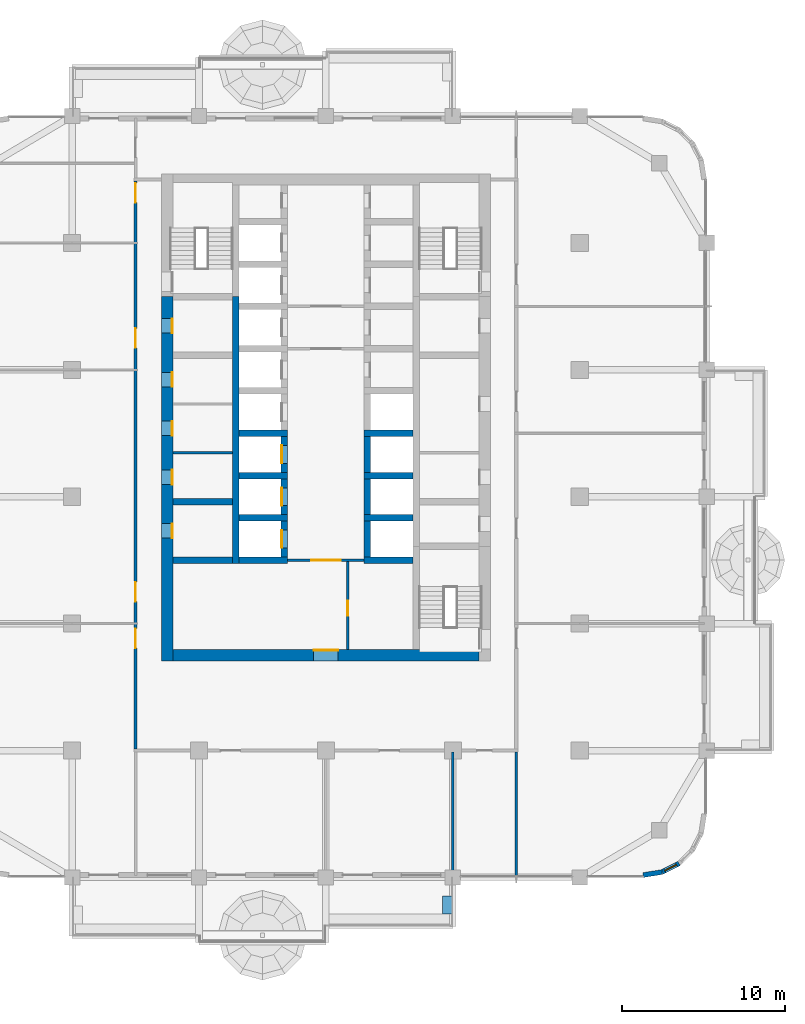
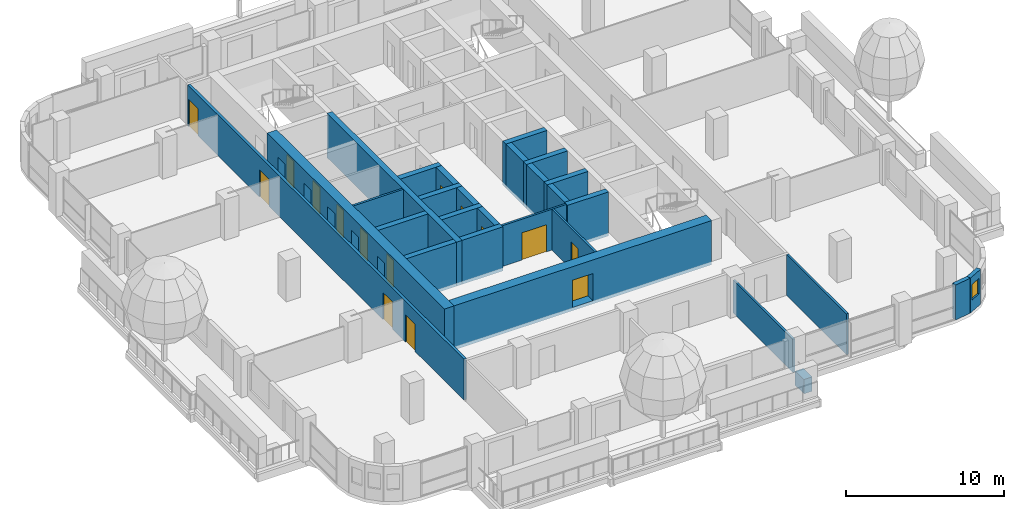
# One storey, part 11 of 21: 28 walls, 15 doors, 1 window, 16 openings.
"""IFC4 building model written with IfcOpenShell, lengths in metres."""

from ifc_helpers import new_model, si_unit, direction, frame, frame_2d, origin, place, context, subcontext, project, spatial, rectangle, extrude, material, layer, layer_set, type_object, element, fill, save


model = new_model("IFC4")

# Units and contexts
model_context = context("Model", 3, precision=1e-05, world=origin(), true_north=direction((0.0, 1.0)))
body_context = subcontext(model_context, "Body", "Model", "MODEL_VIEW")
ifc_project = project(units=[si_unit("LENGTHUNIT", "METRE"), si_unit("AREAUNIT", "SQUARE_METRE"), si_unit("VOLUMEUNIT", "CUBIC_METRE"), si_unit("PLANEANGLEUNIT", "RADIAN"), si_unit("MASSUNIT", "GRAM", prefix="KILO")], contexts=[model_context])

# Site, building, storey
site_placement = place(None, origin())
site = spatial("IfcSite", under=ifc_project, at=site_placement, CompositionType="ELEMENT")
building_placement = place(site_placement, origin())
building = spatial("IfcBuilding", under=site, at=building_placement, Name="Ludao Terraces", CompositionType="ELEMENT")
storey_placement = place(building_placement, frame((0.0, 0.0, 71.60009765625)))
storey = spatial("IfcBuildingStorey", under=building, at=storey_placement, Name="L19", CompositionType="ELEMENT", Elevation=71.60009765625)

# Wall, openings, doors
ifc_material_1 = material(Name="Concrete C70", Category="concrete")
ifc_layer_1 = layer(ifc_material_1, 0.699951171875)
ifc_layer_set_1 = layer_set([ifc_layer_1], Name="Core wall 700 C70")
wall_type_1 = type_object("IfcWallType", Name="Core wall 700 C70", PredefinedType="SOLIDWALL", material=ifc_layer_set_1)
wall_1_placement = place(storey_placement, frame((75.25, 54.89990234375, -0.25), z_axis=(0.0, 0.0, 1.0), x_axis=(0.0, 1.0, 0.0)))
wall_1 = element("IfcWall", 1, at=wall_1_placement, inside=storey, type_object=wall_type_1, Name="Core wall L19 outer-W", PredefinedType="SOLIDWALL", context=body_context, shape_type="SweptSolid", body=[
    extrude(rectangle(XDim=22.400146484375, YDim=0.699951171875, at=frame_2d((11.2001953125, 0.0))), origin(), (0.0, 0.0, 1.0), 3.39990234375),
])
opening_1_placement = place(wall_1_placement, frame((7.550048828125, 0.0, 0.25)))
opening_1 = element("IfcOpeningElement", 2, at=opening_1_placement, cuts=wall_1, Name="Opening C1-012", PredefinedType="OPENING", context=body_context, shape_type="SweptSolid", body=[
    extrude(rectangle(XDim=0.89990234375, YDim=2.10009765625, at=frame_2d((0.449951171875, 1.050048828125))), frame((0.0, 0.35986328125, 0.0), z_axis=(0.0, -1.0, 0.0), x_axis=(1.0, 0.0, 0.0)), (0.0, 0.0, 1.0), 0.719970703125),
])
opening_2_placement = place(wall_1_placement, frame((10.85009765625, 0.0, 0.25)))
opening_2 = element("IfcOpeningElement", 3, at=opening_2_placement, cuts=wall_1, Name="Opening C1-016", PredefinedType="OPENING", context=body_context, shape_type="SweptSolid", body=[
    extrude(rectangle(XDim=0.89990234375, YDim=2.10009765625, at=frame_2d((0.449951171875, 1.050048828125))), frame((0.0, 0.35986328125, 0.0), z_axis=(0.0, -1.0, 0.0), x_axis=(1.0, 0.0, 0.0)), (0.0, 0.0, 1.0), 0.719970703125),
])
opening_3_placement = place(wall_1_placement, frame((13.85009765625, 0.0, 0.25)))
opening_3 = element("IfcOpeningElement", 4, at=opening_3_placement, cuts=wall_1, Name="Opening C1-019", PredefinedType="OPENING", context=body_context, shape_type="SweptSolid", body=[
    extrude(rectangle(XDim=0.89990234375, YDim=2.10009765625, at=frame_2d((0.449951171875, 1.050048828125))), frame((0.0, 0.35986328125, 0.0), z_axis=(0.0, -1.0, 0.0), x_axis=(1.0, 0.0, 0.0)), (0.0, 0.0, 1.0), 0.719970703125),
])
opening_4_placement = place(wall_1_placement, frame((16.85009765625, 0.0, 0.25)))
opening_4 = element("IfcOpeningElement", 5, at=opening_4_placement, cuts=wall_1, Name="Opening C1-023", PredefinedType="OPENING", context=body_context, shape_type="SweptSolid", body=[
    extrude(rectangle(XDim=0.89990234375, YDim=2.10009765625, at=frame_2d((0.449951171875, 1.050048828125))), frame((0.0, 0.35986328125, 0.0), z_axis=(0.0, -1.0, 0.0), x_axis=(1.0, 0.0, 0.0)), (0.0, 0.0, 1.0), 0.719970703125),
])
opening_5_placement = place(wall_1_placement, frame((20.14990234375, 0.0, 0.25)))
opening_5 = element("IfcOpeningElement", 6, at=opening_5_placement, cuts=wall_1, Name="Opening C1-030", PredefinedType="OPENING", context=body_context, shape_type="SweptSolid", body=[
    extrude(rectangle(XDim=0.89990234375, YDim=2.10009765625, at=frame_2d((0.449951171875, 1.050048828125))), frame((0.0, 0.35986328125, 0.0), z_axis=(0.0, -1.0, 0.0), x_axis=(1.0, 0.0, 0.0)), (0.0, 0.0, 1.0), 0.719970703125),
])
ifc_material_2 = material(Name="Steel Q235", Category="steel")
door_type_1 = type_object("IfcDoorType", Name="INT Riser door 900", OperationType="SINGLE_SWING_LEFT", PredefinedType="DOOR", material=ifc_material_2)
door_1_placement = place(opening_1_placement, origin())
door_1 = element("IfcDoor", 7, at=door_1_placement, inside=storey, type_object=door_type_1, Name="DOOR 012", OperationType="SINGLE_SWING_LEFT", OverallHeight=2.10009765625, OverallWidth=0.89990234375, PredefinedType="DOOR", context=body_context, shape_type="SweptSolid", body=[
    extrude(rectangle(XDim=0.89990234375, YDim=2.10009765625, at=frame_2d((0.449951171875, 1.050048828125))), frame((0.0, -0.28515625, 0.0), z_axis=(0.0, -1.0, 0.0), x_axis=(1.0, 0.0, 0.0)), (0.0, 0.0, 1.0), 0.050048828125),
])
fill(opening_1, door_1)
door_2_placement = place(opening_5_placement, origin())
door_2 = element("IfcDoor", 8, at=door_2_placement, inside=storey, type_object=door_type_1, Name="DOOR 030", OperationType="SINGLE_SWING_RIGHT", OverallHeight=2.10009765625, OverallWidth=0.89990234375, PredefinedType="DOOR", context=body_context, shape_type="SweptSolid", body=[
    extrude(rectangle(XDim=0.89990234375, YDim=2.10009765625, at=frame_2d((0.449951171875, 1.050048828125))), frame((0.0, -0.28515625, 0.0), z_axis=(0.0, -1.0, 0.0), x_axis=(1.0, 0.0, 0.0)), (0.0, 0.0, 1.0), 0.050048828125),
])
fill(opening_5, door_2)
ifc_material_3 = material(Name="Timber door leaf", Category="wood")
door_type_2 = type_object("IfcDoorType", Name="INT Room door 900", OperationType="SINGLE_SWING_LEFT", PredefinedType="DOOR", material=ifc_material_3)
door_3_placement = place(opening_2_placement, origin())
door_3 = element("IfcDoor", 9, at=door_3_placement, inside=storey, type_object=door_type_2, Name="DOOR 016", OperationType="SINGLE_SWING_RIGHT", OverallHeight=2.10009765625, OverallWidth=0.89990234375, PredefinedType="DOOR", context=body_context, shape_type="SweptSolid", body=[
    extrude(rectangle(XDim=0.89990234375, YDim=2.10009765625, at=frame_2d((0.449951171875, 1.050048828125))), frame((0.0, -0.28515625, 0.0), z_axis=(0.0, -1.0, 0.0), x_axis=(1.0, 0.0, 0.0)), (0.0, 0.0, 1.0), 0.050048828125),
])
fill(opening_2, door_3)
door_4_placement = place(opening_3_placement, origin())
door_4 = element("IfcDoor", 10, at=door_4_placement, inside=storey, type_object=door_type_2, Name="DOOR 019", OperationType="SINGLE_SWING_RIGHT", OverallHeight=2.10009765625, OverallWidth=0.89990234375, PredefinedType="DOOR", context=body_context, shape_type="SweptSolid", body=[
    extrude(rectangle(XDim=0.89990234375, YDim=2.10009765625, at=frame_2d((0.449951171875, 1.050048828125))), frame((0.0, -0.28515625, 0.0), z_axis=(0.0, -1.0, 0.0), x_axis=(1.0, 0.0, 0.0)), (0.0, 0.0, 1.0), 0.050048828125),
])
fill(opening_3, door_4)
door_5_placement = place(opening_4_placement, origin())
door_5 = element("IfcDoor", 11, at=door_5_placement, inside=storey, type_object=door_type_2, Name="DOOR 023", OperationType="SINGLE_SWING_LEFT", OverallHeight=2.10009765625, OverallWidth=0.89990234375, PredefinedType="DOOR", context=body_context, shape_type="SweptSolid", body=[
    extrude(rectangle(XDim=0.89990234375, YDim=2.10009765625, at=frame_2d((0.449951171875, 1.050048828125))), frame((0.0, -0.28515625, 0.0), z_axis=(0.0, -1.0, 0.0), x_axis=(1.0, 0.0, 0.0)), (0.0, 0.0, 1.0), 0.050048828125),
])
fill(opening_4, door_5)

# Wall, opening, door
wall_2_placement = place(storey_placement, frame((75.60009765625, 55.25, -0.25), z_axis=(0.0, 0.0, 1.0), x_axis=(1.0, 0.0, 0.0)))
wall_2 = element("IfcWall", 12, at=wall_2_placement, inside=storey, type_object=wall_type_1, Name="Core wall L19 outer-S", PredefinedType="SOLIDWALL", context=body_context, shape_type="SweptSolid", body=[
    extrude(rectangle(XDim=18.7998046875, YDim=0.699951171875, at=frame_2d((9.39990234375, 0.0))), origin(), (0.0, 0.0, 1.0), 3.39990234375),
])
opening_6_placement = place(wall_2_placement, frame((8.64990234375, 0.0, 0.25)))
opening_6 = element("IfcOpeningElement", 13, at=opening_6_placement, cuts=wall_2, Name="Opening C1-004", PredefinedType="OPENING", context=body_context, shape_type="SweptSolid", body=[
    extrude(rectangle(XDim=1.5, YDim=2.10009765625, at=frame_2d((0.75, 1.050048828125))), frame((0.0, 0.35986328125, 0.0), z_axis=(0.0, -1.0, 0.0), x_axis=(1.0, 0.0, 0.0)), (0.0, 0.0, 1.0), 0.719970703125),
])
door_type_3 = type_object("IfcDoorType", Name="INT Lobby door 1500", OperationType="DOUBLE_DOOR_SINGLE_SWING", PredefinedType="DOOR", material=ifc_material_2)
door_6_placement = place(opening_6_placement, origin())
door_6 = element("IfcDoor", 14, at=door_6_placement, inside=storey, type_object=door_type_3, Name="DOOR 004", OperationType="DOUBLE_DOOR_SINGLE_SWING", OverallHeight=2.10009765625, OverallWidth=1.5, PredefinedType="DOOR", context=body_context, shape_type="SweptSolid", body=[
    extrude(rectangle(XDim=1.5, YDim=2.10009765625, at=frame_2d((0.75, 1.050048828125))), frame((0.0, 0.3349609375, 0.0), z_axis=(0.0, -1.0, 0.0), x_axis=(1.0, 0.0, 0.0)), (0.0, 0.0, 1.0), 0.050048828125),
])
fill(opening_6, door_6)

# Walls
ifc_material_4 = material(Name="Concrete C40", Category="concrete")
ifc_layer_2 = layer(ifc_material_4, 0.60009765625)
ifc_layer_set_2 = layer_set([ifc_layer_2], Name="ENV Planter trough 600")
wall_type_2 = type_object("IfcWallType", Name="ENV Planter trough 600", PredefinedType="USERDEFINED", material=ifc_layer_set_2)
wall_3_placement = place(storey_placement, frame((92.449951171875, 39.35009765625, 0.0), z_axis=(0.0, 0.0, 1.0), x_axis=(0.0, 1.0, 0.0)))
element("IfcWall", 15, at=wall_3_placement, inside=storey, type_object=wall_type_2, Name="PL-L19-S3-SB", ObjectType="PLANTER", PredefinedType="USERDEFINED", context=body_context, shape_type="SweptSolid", body=[
    extrude(rectangle(XDim=1.099853515625, YDim=0.60009765625, at=frame_2d((0.5498046875, 0.0))), origin(), (0.0, 0.0, 1.0), 1.099853515625),
])
ifc_material_5 = material(Name="Granite cladding", Category="masonry")
ifc_layer_3 = layer(ifc_material_5, 0.0400390625, Category="stone")
ifc_material_6 = material(Name="Mineral wool")
ifc_layer_4 = layer(ifc_material_6, 0.06005859375)
ifc_layer_5 = layer(ifc_material_4, 0.199951171875, Category="concrete")
ifc_layer_set_3 = layer_set([ifc_layer_3, ifc_layer_4, ifc_layer_5], Name="ENV Stone-clad wall 300")
wall_type_3 = type_object("IfcWallType", Name="ENV Stone-clad wall 300", PredefinedType="SOLIDWALL", material=ifc_layer_set_3)
wall_4_placement = place(storey_placement, frame((104.5, 41.75, 0.0), z_axis=(0.0, 0.0, 1.0), x_axis=(0.987678452879, 0.156496880861, 0.0)))
element("IfcWall", 16, at=wall_4_placement, inside=storey, type_object=wall_type_3, Name="EW-L19-SE1", PredefinedType="SOLIDWALL", context=body_context, shape_type="SweptSolid", body=[
    extrude(rectangle(XDim=1.173095703125, YDim=0.300048828125, at=frame_2d((0.58642578125, 0.0))), origin(), (0.0, 0.0, 1.0), 2.699951171875),
])

# Wall, opening, window
wall_5_placement = place(storey_placement, frame((105.65869140625, 41.93359375, 0.0), z_axis=(0.0, 0.0, 1.0), x_axis=(0.890988677504, 0.454025524128, 0.0)))
wall_5 = element("IfcWall", 17, at=wall_5_placement, inside=storey, type_object=wall_type_3, Name="EW-L19-SE2", PredefinedType="SOLIDWALL", context=body_context, shape_type="SweptSolid", body=[
    extrude(rectangle(XDim=1.17333984375, YDim=0.300048828125, at=frame_2d((0.586669921875, 0.0))), origin(), (0.0, 0.0, 1.0), 2.699951171875),
])
opening_7_placement = place(wall_5_placement, frame((0.1865234375, 0.0, 0.89990234375)))
opening_7 = element("IfcOpeningElement", 18, at=opening_7_placement, cuts=wall_5, Name="Opening W3", PredefinedType="OPENING", context=body_context, shape_type="SweptSolid", body=[
    extrude(rectangle(XDim=0.800048828125, YDim=1.199951171875, at=frame_2d((0.39990234375, 0.60009765625))), frame((0.0, 0.16015625, 0.0), z_axis=(0.0, -1.0, 0.0), x_axis=(1.0, 0.0, 0.0)), (0.0, 0.0, 1.0), 0.320068359375),
])
ifc_material_7 = material(Name="Clear glass in aluminium frame", Category="aluminium")
ifc_layer_6 = layer(ifc_material_7, 0.06005859375)
ifc_layer_set_4 = layer_set([ifc_layer_6], Name="ENV Window W3 800x1200")
window_type = type_object("IfcWindowType", Name="ENV Window W3 800x1200", PartitioningType="SINGLE_PANEL", PredefinedType="WINDOW", material=ifc_layer_set_4)
window_placement = place(opening_7_placement, origin())
window = element("IfcWindow", 19, at=window_placement, inside=storey, type_object=window_type, Name="W-L19-SE2", OverallHeight=1.199951171875, OverallWidth=0.800048828125, PartitioningType="SINGLE_PANEL", PredefinedType="WINDOW", context=body_context, shape_type="SweptSolid", body=[
    extrude(rectangle(XDim=0.800048828125, YDim=1.199951171875, at=frame_2d((0.39990234375, 0.60009765625))), frame((0.0, 0.030029296875, 0.0), z_axis=(0.0, -1.0, 0.0), x_axis=(1.0, 0.0, 0.0)), (0.0, 0.0, 1.0), 0.06005859375),
])
fill(opening_7, window)

# Wall, opening, door
ifc_material_8 = material(Name="Fire-rated gypsum plasterboard", Category="gypsum")
ifc_layer_7 = layer(ifc_material_8, 0.012451171875, Category="gypsum")
ifc_layer_8 = layer(ifc_material_6, 0.10009765625, Name="insulation")
ifc_layer_9 = layer(ifc_material_2, 0.02490234375, Name="stud")
ifc_layer_10 = layer(ifc_material_8, 0.012451171875, Category="gypsum")
ifc_layer_set_5 = layer_set([ifc_layer_7, ifc_layer_8, ifc_layer_9, ifc_layer_10], Name="INT Core partition 150")
wall_type_4 = type_object("IfcWallType", Name="INT Core partition 150", PredefinedType="PARTITIONING", material=ifc_layer_set_5)
wall_6_placement = place(storey_placement, frame((82.650146484375, 61.10009765625, 0.0), z_axis=(0.0, 0.0, 1.0), x_axis=(1.0, 0.0, 0.0)))
wall_6 = element("IfcWall", 20, at=wall_6_placement, inside=storey, type_object=wall_type_4, Name="PW-L19-PW003", PredefinedType="PARTITIONING", context=body_context, shape_type="SweptSolid", body=[
    extrude(rectangle(XDim=4.699951171875, YDim=0.14990234375, at=frame_2d((2.35009765625, 0.0))), origin(), (0.0, 0.0, 1.0), 3.14990234375),
])
opening_8_placement = place(wall_6_placement, frame((1.449951171875, 0.0, 0.0)))
opening_8 = element("IfcOpeningElement", 21, at=opening_8_placement, cuts=wall_6, Name="Opening C1-010", PredefinedType="OPENING", context=body_context, shape_type="SweptSolid", body=[
    extrude(rectangle(XDim=1.800048828125, YDim=2.10009765625, at=frame_2d((0.89990234375, 1.050048828125))), frame((0.0, 0.0849609375, 0.0), z_axis=(0.0, -1.0, 0.0), x_axis=(1.0, 0.0, 0.0)), (0.0, 0.0, 1.0), 0.169921875),
])
door_type_4 = type_object("IfcDoorType", Name="INT Fire lobby door 1800", OperationType="DOUBLE_DOOR_SINGLE_SWING", PredefinedType="DOOR", material=ifc_material_2)
door_7_placement = place(opening_8_placement, origin())
door_7 = element("IfcDoor", 22, at=door_7_placement, inside=storey, type_object=door_type_4, Name="DOOR 010", OperationType="DOUBLE_DOOR_SINGLE_SWING", OverallHeight=2.10009765625, OverallWidth=1.800048828125, PredefinedType="DOOR", context=body_context, shape_type="SweptSolid", body=[
    extrude(rectangle(XDim=1.800048828125, YDim=2.10009765625, at=frame_2d((0.89990234375, 1.050048828125))), frame((0.0, 0.02490234375, 0.0), z_axis=(0.0, -1.0, 0.0), x_axis=(1.0, 0.0, 0.0)), (0.0, 0.0, 1.0), 0.050048828125),
])
fill(opening_8, door_7)

# Wall
wall_7_placement = place(storey_placement, frame((75.60009765625, 67.699951171875, 0.0), z_axis=(0.0, 0.0, 1.0), x_axis=(1.0, 0.0, 0.0)))
element("IfcWall", 23, at=wall_7_placement, inside=storey, type_object=wall_type_4, Name="PW-L19-PW004", PredefinedType="PARTITIONING", context=body_context, shape_type="SweptSolid", body=[
    extrude(rectangle(XDim=3.64990234375, YDim=0.14990234375, at=frame_2d((1.824951171875, 0.0))), origin(), (0.0, 0.0, 1.0), 3.14990234375),
])

# Wall, opening, door
wall_8_placement = place(storey_placement, frame((86.35009765625, 55.60009765625, 0.0), z_axis=(0.0, 0.0, 1.0), x_axis=(0.0, 1.0, 0.0)))
wall_8 = element("IfcWall", 24, at=wall_8_placement, inside=storey, type_object=wall_type_4, Name="PW-L19-PW020", PredefinedType="PARTITIONING", context=body_context, shape_type="SweptSolid", body=[
    extrude(rectangle(XDim=5.425048828125, YDim=0.14990234375, at=frame_2d((2.71240234375, 0.0))), origin(), (0.0, 0.0, 1.0), 3.14990234375),
])
opening_9_placement = place(wall_8_placement, frame((2.10009765625, 0.0, 0.0)))
opening_9 = element("IfcOpeningElement", 25, at=opening_9_placement, cuts=wall_8, Name="Opening C1-008", PredefinedType="OPENING", context=body_context, shape_type="SweptSolid", body=[
    extrude(rectangle(XDim=0.89990234375, YDim=2.10009765625, at=frame_2d((0.449951171875, 1.050048828125))), frame((0.0, 0.0849609375, 0.0), z_axis=(0.0, -1.0, 0.0), x_axis=(1.0, 0.0, 0.0)), (0.0, 0.0, 1.0), 0.169921875),
])
door_8_placement = place(opening_9_placement, origin())
door_8 = element("IfcDoor", 26, at=door_8_placement, inside=storey, type_object=door_type_2, Name="DOOR 008", OperationType="SINGLE_SWING_RIGHT", OverallHeight=2.10009765625, OverallWidth=0.89990234375, PredefinedType="DOOR", context=body_context, shape_type="SweptSolid", body=[
    extrude(rectangle(XDim=0.89990234375, YDim=2.10009765625, at=frame_2d((0.449951171875, 1.050048828125))), frame((0.0, 0.02490234375, 0.0), z_axis=(0.0, -1.0, 0.0), x_axis=(1.0, 0.0, 0.0)), (0.0, 0.0, 1.0), 0.050048828125),
])
fill(opening_9, door_8)

# Wall, openings, doors
ifc_material_9 = material(Name="Autoclaved aerated concrete block B06 A3.5", Category="concrete")
ifc_layer_11 = layer(ifc_material_9, 0.199951171875)
ifc_layer_set_6 = layer_set([ifc_layer_11], Name="INT Entrance wall 200")
wall_type_5 = type_object("IfcWallType", Name="INT Entrance wall 200", PredefinedType="PARTITIONING", material=ifc_layer_set_6)
wall_9_placement = place(storey_placement, frame((73.300048828125, 49.5, 0.0), z_axis=(0.0, 0.0, 1.0), x_axis=(0.0, 1.0, 0.0)))
wall_9 = element("IfcWall", 27, at=wall_9_placement, inside=storey, type_object=wall_type_5, Name="PW-L19-PW017", PredefinedType="PARTITIONING", context=body_context, shape_type="SweptSolid", body=[
    extrude(rectangle(XDim=34.900146484375, YDim=0.199951171875, at=frame_2d((17.4501953125, 0.0))), origin(), (0.0, 0.0, 1.0), 3.14990234375),
])
opening_10_placement = place(wall_9_placement, frame((6.2001953125, 0.0, 0.0)))
opening_10 = element("IfcOpeningElement", 28, at=opening_10_placement, cuts=wall_9, Name="Opening C1-006", PredefinedType="OPENING", context=body_context, shape_type="SweptSolid", body=[
    extrude(rectangle(XDim=1.199951171875, YDim=2.10009765625, at=frame_2d((0.60009765625, 1.050048828125))), frame((0.0, 0.10986328125, 0.0), z_axis=(0.0, -1.0, 0.0), x_axis=(1.0, 0.0, 0.0)), (0.0, 0.0, 1.0), 0.219970703125),
])
opening_11_placement = place(wall_9_placement, frame((9.050048828125, 0.0, 0.0)))
opening_11 = element("IfcOpeningElement", 29, at=opening_11_placement, cuts=wall_9, Name="Opening C1-009", PredefinedType="OPENING", context=body_context, shape_type="SweptSolid", body=[
    extrude(rectangle(XDim=1.199951171875, YDim=2.10009765625, at=frame_2d((0.60009765625, 1.050048828125))), frame((0.0, 0.10986328125, 0.0), z_axis=(0.0, -1.0, 0.0), x_axis=(1.0, 0.0, 0.0)), (0.0, 0.0, 1.0), 0.219970703125),
])
opening_12_placement = place(wall_9_placement, frame((24.650146484375, 0.0, 0.0)))
opening_12 = element("IfcOpeningElement", 30, at=opening_12_placement, cuts=wall_9, Name="Opening C1-027", PredefinedType="OPENING", context=body_context, shape_type="SweptSolid", body=[
    extrude(rectangle(XDim=1.199951171875, YDim=2.10009765625, at=frame_2d((0.60009765625, 1.050048828125))), frame((0.0, 0.10986328125, 0.0), z_axis=(0.0, -1.0, 0.0), x_axis=(1.0, 0.0, 0.0)), (0.0, 0.0, 1.0), 0.219970703125),
])
opening_13_placement = place(wall_9_placement, frame((33.5791015625, 0.0, 0.0)))
opening_13 = element("IfcOpeningElement", 31, at=opening_13_placement, cuts=wall_9, Name="Opening C1-042", PredefinedType="OPENING", context=body_context, shape_type="SweptSolid", body=[
    extrude(rectangle(XDim=1.199951171875, YDim=2.10009765625, at=frame_2d((0.60009765625, 1.050048828125))), frame((0.0, 0.10986328125, 0.0), z_axis=(0.0, -1.0, 0.0), x_axis=(1.0, 0.0, 0.0)), (0.0, 0.0, 1.0), 0.219970703125),
])
door_type_5 = type_object("IfcDoorType", Name="INT Double door 1200", OperationType="DOUBLE_DOOR_SINGLE_SWING", PredefinedType="DOOR", material=ifc_material_3)
door_9_placement = place(opening_10_placement, origin())
door_9 = element("IfcDoor", 32, at=door_9_placement, inside=storey, type_object=door_type_5, Name="DOOR 006", OperationType="DOUBLE_DOOR_SINGLE_SWING", OverallHeight=2.10009765625, OverallWidth=1.199951171875, PredefinedType="DOOR", context=body_context, shape_type="SweptSolid", body=[
    extrude(rectangle(XDim=1.199951171875, YDim=2.10009765625, at=frame_2d((0.60009765625, 1.050048828125))), frame((0.0, 0.02490234375, 0.0), z_axis=(0.0, -1.0, 0.0), x_axis=(1.0, 0.0, 0.0)), (0.0, 0.0, 1.0), 0.050048828125),
])
fill(opening_10, door_9)
door_10_placement = place(opening_11_placement, origin())
door_10 = element("IfcDoor", 33, at=door_10_placement, inside=storey, type_object=door_type_5, Name="DOOR 009", OperationType="DOUBLE_DOOR_SINGLE_SWING", OverallHeight=2.10009765625, OverallWidth=1.199951171875, PredefinedType="DOOR", context=body_context, shape_type="SweptSolid", body=[
    extrude(rectangle(XDim=1.199951171875, YDim=2.10009765625, at=frame_2d((0.60009765625, 1.050048828125))), frame((0.0, 0.02490234375, 0.0), z_axis=(0.0, -1.0, 0.0), x_axis=(1.0, 0.0, 0.0)), (0.0, 0.0, 1.0), 0.050048828125),
])
fill(opening_11, door_10)
door_11_placement = place(opening_12_placement, origin())
door_11 = element("IfcDoor", 34, at=door_11_placement, inside=storey, type_object=door_type_5, Name="DOOR 027", OperationType="DOUBLE_DOOR_SINGLE_SWING", OverallHeight=2.10009765625, OverallWidth=1.199951171875, PredefinedType="DOOR", context=body_context, shape_type="SweptSolid", body=[
    extrude(rectangle(XDim=1.199951171875, YDim=2.10009765625, at=frame_2d((0.60009765625, 1.050048828125))), frame((0.0, 0.02490234375, 0.0), z_axis=(0.0, -1.0, 0.0), x_axis=(1.0, 0.0, 0.0)), (0.0, 0.0, 1.0), 0.050048828125),
])
fill(opening_12, door_11)
door_12_placement = place(opening_13_placement, origin())
door_12 = element("IfcDoor", 35, at=door_12_placement, inside=storey, type_object=door_type_5, Name="DOOR 042", OperationType="DOUBLE_DOOR_SINGLE_SWING", OverallHeight=2.10009765625, OverallWidth=1.199951171875, PredefinedType="DOOR", context=body_context, shape_type="SweptSolid", body=[
    extrude(rectangle(XDim=1.199951171875, YDim=2.10009765625, at=frame_2d((0.60009765625, 1.050048828125))), frame((0.0, 0.02490234375, 0.0), z_axis=(0.0, -1.0, 0.0), x_axis=(1.0, 0.0, 0.0)), (0.0, 0.0, 1.0), 0.050048828125),
])
fill(opening_13, door_12)

# Walls
ifc_layer_12 = layer(ifc_material_9, 0.14990234375)
ifc_layer_set_7 = layer_set([ifc_layer_12], Name="INT Party wall 150")
wall_type_6 = type_object("IfcWallType", Name="INT Party wall 150", PredefinedType="PARTITIONING", material=ifc_layer_set_7)
wall_10_placement = place(storey_placement, frame((92.800048828125, 41.735107421875, 0.0), z_axis=(0.0, 0.0, 1.0), x_axis=(0.0, 1.0, 0.0)))
element("IfcWall", 36, at=wall_10_placement, inside=storey, type_object=wall_type_6, Name="PW-L19-PW021", PredefinedType="PARTITIONING", context=body_context, shape_type="SweptSolid", body=[
    extrude(rectangle(XDim=7.56494140625, YDim=0.14990234375, at=frame_2d((3.782470703125, 0.0))), origin(), (0.0, 0.0, 1.0), 2.5498046875),
])
wall_11_placement = place(storey_placement, frame((96.699951171875, 41.735107421875, 0.0), z_axis=(0.0, 0.0, 1.0), x_axis=(0.0, 1.0, 0.0)))
element("IfcWall", 37, at=wall_11_placement, inside=storey, type_object=wall_type_6, Name="PW-L19-PW022", PredefinedType="PARTITIONING", context=body_context, shape_type="SweptSolid", body=[
    extrude(rectangle(XDim=7.56494140625, YDim=0.14990234375, at=frame_2d((3.782470703125, 0.0))), origin(), (0.0, 0.0, 1.0), 3.14990234375),
])
ifc_material_10 = material(Name="Concrete C60", Category="concrete")
ifc_layer_13 = layer(ifc_material_10, 0.39990234375)
ifc_layer_set_8 = layer_set([ifc_layer_13], Name="Shaft wall 400 C60")
wall_type_7 = type_object("IfcWallType", Name="Shaft wall 400 C60", PredefinedType="SOLIDWALL", material=ifc_layer_set_8)
wall_12_placement = place(storey_placement, frame((79.449951171875, 60.89990234375, -0.25), z_axis=(0.0, 0.0, 1.0), x_axis=(0.0, 1.0, 0.0)))
element("IfcWall", 38, at=wall_12_placement, inside=storey, type_object=wall_type_7, Name="Core wall L19 back-W", PredefinedType="SOLIDWALL", context=body_context, shape_type="SweptSolid", body=[
    extrude(rectangle(XDim=16.400146484375, YDim=0.39990234375, at=frame_2d((8.2001953125, 0.0))), origin(), (0.0, 0.0, 1.0), 3.39990234375),
])
wall_13_placement = place(storey_placement, frame((79.64990234375, 61.10009765625, -0.25), z_axis=(0.0, 0.0, 1.0), x_axis=(1.0, 0.0, 0.0)))
element("IfcWall", 39, at=wall_13_placement, inside=storey, type_object=wall_type_7, Name="Core wall L19 div-W1", PredefinedType="SOLIDWALL", context=body_context, shape_type="SweptSolid", body=[
    extrude(rectangle(XDim=3.0, YDim=0.39990234375, at=frame_2d((1.5, 0.0))), origin(), (0.0, 0.0, 1.0), 3.39990234375),
])

# Wall, opening, door
wall_14_placement = place(storey_placement, frame((82.449951171875, 61.300048828125, -0.25), z_axis=(0.0, 0.0, 1.0), x_axis=(0.0, 1.0, 0.0)))
wall_14 = element("IfcWall", 40, at=wall_14_placement, inside=storey, type_object=wall_type_7, Name="Core wall L19 front-W1", PredefinedType="SOLIDWALL", context=body_context, shape_type="SweptSolid", body=[
    extrude(rectangle(XDim=2.199951171875, YDim=0.39990234375, at=frame_2d((1.10009765625, 0.0))), origin(), (0.0, 0.0, 1.0), 3.39990234375),
])
opening_14_placement = place(wall_14_placement, frame((0.550048828125, 0.0, 0.25)))
opening_14 = element("IfcOpeningElement", 41, at=opening_14_placement, cuts=wall_14, Name="Opening LD-LA1", PredefinedType="OPENING", context=body_context, shape_type="SweptSolid", body=[
    extrude(rectangle(XDim=1.10009765625, YDim=2.10009765625, at=frame_2d((0.550048828125, 1.050048828125))), frame((0.0, 0.2099609375, 0.0), z_axis=(0.0, -1.0, 0.0), x_axis=(1.0, 0.0, 0.0)), (0.0, 0.0, 1.0), 0.419921875),
])
ifc_material_11 = material(Name="Stainless steel 304", Category="steel")
door_type_6 = type_object("IfcDoorType", Name="INT Lift landing door 1100", OperationType="SLIDING_TO_LEFT", PredefinedType="DOOR", material=ifc_material_11)
door_13_placement = place(opening_14_placement, origin())
door_13 = element("IfcDoor", 42, at=door_13_placement, inside=storey, type_object=door_type_6, Name="LANDING DOOR LA1 L19", OperationType="SLIDING_TO_RIGHT", OverallHeight=2.10009765625, OverallWidth=1.10009765625, PredefinedType="DOOR", context=body_context, shape_type="SweptSolid", body=[
    extrude(rectangle(XDim=1.10009765625, YDim=2.10009765625, at=frame_2d((0.550048828125, 1.050048828125))), frame((0.0, 0.18505859375, 0.0), z_axis=(0.0, -1.0, 0.0), x_axis=(1.0, 0.0, 0.0)), (0.0, 0.0, 1.0), 0.050048828125),
])
fill(opening_14, door_13)

# Wall
wall_15_placement = place(storey_placement, frame((79.64990234375, 63.699951171875, -0.25), z_axis=(0.0, 0.0, 1.0), x_axis=(1.0, 0.0, 0.0)))
element("IfcWall", 43, at=wall_15_placement, inside=storey, type_object=wall_type_7, Name="Core wall L19 div-W2", PredefinedType="SOLIDWALL", context=body_context, shape_type="SweptSolid", body=[
    extrude(rectangle(XDim=3.0, YDim=0.39990234375, at=frame_2d((1.5, 0.0))), origin(), (0.0, 0.0, 1.0), 3.39990234375),
])

# Wall, opening, door
wall_16_placement = place(storey_placement, frame((82.449951171875, 63.89990234375, -0.25), z_axis=(0.0, 0.0, 1.0), x_axis=(0.0, 1.0, 0.0)))
wall_16 = element("IfcWall", 44, at=wall_16_placement, inside=storey, type_object=wall_type_7, Name="Core wall L19 front-W2", PredefinedType="SOLIDWALL", context=body_context, shape_type="SweptSolid", body=[
    extrude(rectangle(XDim=2.2001953125, YDim=0.39990234375, at=frame_2d((1.10009765625, 0.0))), origin(), (0.0, 0.0, 1.0), 3.39990234375),
])
opening_15_placement = place(wall_16_placement, frame((0.550048828125, 0.0, 0.25)))
opening_15 = element("IfcOpeningElement", 45, at=opening_15_placement, cuts=wall_16, Name="Opening LD-LA2", PredefinedType="OPENING", context=body_context, shape_type="SweptSolid", body=[
    extrude(rectangle(XDim=1.10009765625, YDim=2.10009765625, at=frame_2d((0.550048828125, 1.050048828125))), frame((0.0, 0.2099609375, 0.0), z_axis=(0.0, -1.0, 0.0), x_axis=(1.0, 0.0, 0.0)), (0.0, 0.0, 1.0), 0.419921875),
])
door_14_placement = place(opening_15_placement, origin())
door_14 = element("IfcDoor", 46, at=door_14_placement, inside=storey, type_object=door_type_6, Name="LANDING DOOR LA2 L19", OperationType="SLIDING_TO_RIGHT", OverallHeight=2.10009765625, OverallWidth=1.10009765625, PredefinedType="DOOR", context=body_context, shape_type="SweptSolid", body=[
    extrude(rectangle(XDim=1.10009765625, YDim=2.10009765625, at=frame_2d((0.550048828125, 1.050048828125))), frame((0.0, 0.18505859375, 0.0), z_axis=(0.0, -1.0, 0.0), x_axis=(1.0, 0.0, 0.0)), (0.0, 0.0, 1.0), 0.050048828125),
])
fill(opening_15, door_14)

# Wall
wall_17_placement = place(storey_placement, frame((79.64990234375, 66.300048828125, -0.25), z_axis=(0.0, 0.0, 1.0), x_axis=(1.0, 0.0, 0.0)))
element("IfcWall", 47, at=wall_17_placement, inside=storey, type_object=wall_type_7, Name="Core wall L19 div-W3", PredefinedType="SOLIDWALL", context=body_context, shape_type="SweptSolid", body=[
    extrude(rectangle(XDim=3.0, YDim=0.39990234375, at=frame_2d((1.5, 0.0))), origin(), (0.0, 0.0, 1.0), 3.39990234375),
])

# Wall, opening, door
wall_18_placement = place(storey_placement, frame((82.449951171875, 66.5, -0.25), z_axis=(0.0, 0.0, 1.0), x_axis=(0.0, 1.0, 0.0)))
wall_18 = element("IfcWall", 48, at=wall_18_placement, inside=storey, type_object=wall_type_7, Name="Core wall L19 front-W3", PredefinedType="SOLIDWALL", context=body_context, shape_type="SweptSolid", body=[
    extrude(rectangle(XDim=2.199951171875, YDim=0.39990234375, at=frame_2d((1.10009765625, 0.0))), origin(), (0.0, 0.0, 1.0), 3.39990234375),
])
opening_16_placement = place(wall_18_placement, frame((0.550048828125, 0.0, 0.25)))
opening_16 = element("IfcOpeningElement", 49, at=opening_16_placement, cuts=wall_18, Name="Opening LD-LA3", PredefinedType="OPENING", context=body_context, shape_type="SweptSolid", body=[
    extrude(rectangle(XDim=1.10009765625, YDim=2.10009765625, at=frame_2d((0.550048828125, 1.050048828125))), frame((0.0, 0.2099609375, 0.0), z_axis=(0.0, -1.0, 0.0), x_axis=(1.0, 0.0, 0.0)), (0.0, 0.0, 1.0), 0.419921875),
])
door_15_placement = place(opening_16_placement, origin())
door_15 = element("IfcDoor", 50, at=door_15_placement, inside=storey, type_object=door_type_6, Name="LANDING DOOR LA3 L19", OperationType="SLIDING_TO_RIGHT", OverallHeight=2.10009765625, OverallWidth=1.10009765625, PredefinedType="DOOR", context=body_context, shape_type="SweptSolid", body=[
    extrude(rectangle(XDim=1.10009765625, YDim=2.10009765625, at=frame_2d((0.550048828125, 1.050048828125))), frame((0.0, 0.18505859375, 0.0), z_axis=(0.0, -1.0, 0.0), x_axis=(1.0, 0.0, 0.0)), (0.0, 0.0, 1.0), 0.050048828125),
])
fill(opening_16, door_15)

# Walls
for number, where, z_axis, x_axis, name in (
    (51, (79.64990234375, 68.89990234375, -0.25), (0.0, 0.0, 1.0), (1.0, 0.0, 0.0), "Core wall L19 div-W4"),
    (52, (87.35009765625, 61.10009765625, -0.25), (0.0, 0.0, 1.0), (1.0, 0.0, 0.0), "Core wall L19 div-E1"),
):
    element("IfcWall", number, at=place(storey_placement, frame(where, z_axis=z_axis, x_axis=x_axis)), inside=storey, type_object=wall_type_7, Name=name, PredefinedType="SOLIDWALL", context=body_context, shape_type="SweptSolid", body=[
        extrude(rectangle(XDim=3.0, YDim=0.39990234375, at=frame_2d((1.5, 0.0))), origin(), (0.0, 0.0, 1.0), 3.39990234375),
    ])
wall_19_placement = place(storey_placement, frame((87.550048828125, 61.300048828125, -0.25), z_axis=(0.0, 0.0, 1.0), x_axis=(0.0, 1.0, 0.0)))
element("IfcWall", 53, at=wall_19_placement, inside=storey, type_object=wall_type_7, Name="Core wall L19 front-E1", PredefinedType="SOLIDWALL", context=body_context, shape_type="SweptSolid", body=[
    extrude(rectangle(XDim=2.199951171875, YDim=0.39990234375, at=frame_2d((1.10009765625, 0.0))), origin(), (0.0, 0.0, 1.0), 3.39990234375),
])
wall_20_placement = place(storey_placement, frame((87.35009765625, 63.699951171875, -0.25), z_axis=(0.0, 0.0, 1.0), x_axis=(1.0, 0.0, 0.0)))
element("IfcWall", 54, at=wall_20_placement, inside=storey, type_object=wall_type_7, Name="Core wall L19 div-E2", PredefinedType="SOLIDWALL", context=body_context, shape_type="SweptSolid", body=[
    extrude(rectangle(XDim=3.0, YDim=0.39990234375, at=frame_2d((1.5, 0.0))), origin(), (0.0, 0.0, 1.0), 3.39990234375),
])
wall_21_placement = place(storey_placement, frame((87.550048828125, 63.89990234375, -0.25), z_axis=(0.0, 0.0, 1.0), x_axis=(0.0, 1.0, 0.0)))
element("IfcWall", 55, at=wall_21_placement, inside=storey, type_object=wall_type_7, Name="Core wall L19 front-E2", PredefinedType="SOLIDWALL", context=body_context, shape_type="SweptSolid", body=[
    extrude(rectangle(XDim=2.2001953125, YDim=0.39990234375, at=frame_2d((1.10009765625, 0.0))), origin(), (0.0, 0.0, 1.0), 3.39990234375),
])
wall_22_placement = place(storey_placement, frame((87.35009765625, 66.300048828125, -0.25), z_axis=(0.0, 0.0, 1.0), x_axis=(1.0, 0.0, 0.0)))
element("IfcWall", 56, at=wall_22_placement, inside=storey, type_object=wall_type_7, Name="Core wall L19 div-E3", PredefinedType="SOLIDWALL", context=body_context, shape_type="SweptSolid", body=[
    extrude(rectangle(XDim=3.0, YDim=0.39990234375, at=frame_2d((1.5, 0.0))), origin(), (0.0, 0.0, 1.0), 3.39990234375),
])
wall_23_placement = place(storey_placement, frame((87.550048828125, 66.5, -0.25), z_axis=(0.0, 0.0, 1.0), x_axis=(0.0, 1.0, 0.0)))
element("IfcWall", 57, at=wall_23_placement, inside=storey, type_object=wall_type_7, Name="Core wall L19 front-E3", PredefinedType="SOLIDWALL", context=body_context, shape_type="SweptSolid", body=[
    extrude(rectangle(XDim=2.199951171875, YDim=0.39990234375, at=frame_2d((1.10009765625, 0.0))), origin(), (0.0, 0.0, 1.0), 3.39990234375),
])
wall_24_placement = place(storey_placement, frame((87.35009765625, 68.89990234375, -0.25), z_axis=(0.0, 0.0, 1.0), x_axis=(1.0, 0.0, 0.0)))
element("IfcWall", 58, at=wall_24_placement, inside=storey, type_object=wall_type_7, Name="Core wall L19 div-E4", PredefinedType="SOLIDWALL", context=body_context, shape_type="SweptSolid", body=[
    extrude(rectangle(XDim=3.0, YDim=0.39990234375, at=frame_2d((1.5, 0.0))), origin(), (0.0, 0.0, 1.0), 3.39990234375),
])
for number, where, z_axis, x_axis, name in (
    (59, (75.60009765625, 61.10009765625, -0.25), (0.0, 0.0, 1.0), (1.0, 0.0, 0.0), "Core wall L19 hall-W"),
    (60, (75.60009765625, 64.699951171875, -0.25), (0.0, 0.0, 1.0), (1.0, 0.0, 0.0), "Core wall L19 riser-a-W"),
):
    element("IfcWall", number, at=place(storey_placement, frame(where, z_axis=z_axis, x_axis=x_axis)), inside=storey, type_object=wall_type_7, Name=name, PredefinedType="SOLIDWALL", context=body_context, shape_type="SweptSolid", body=[
        extrude(rectangle(XDim=3.64990234375, YDim=0.39990234375, at=frame_2d((1.824951171875, 0.0))), origin(), (0.0, 0.0, 1.0), 3.39990234375),
    ])

save(model, "model.ifc")
